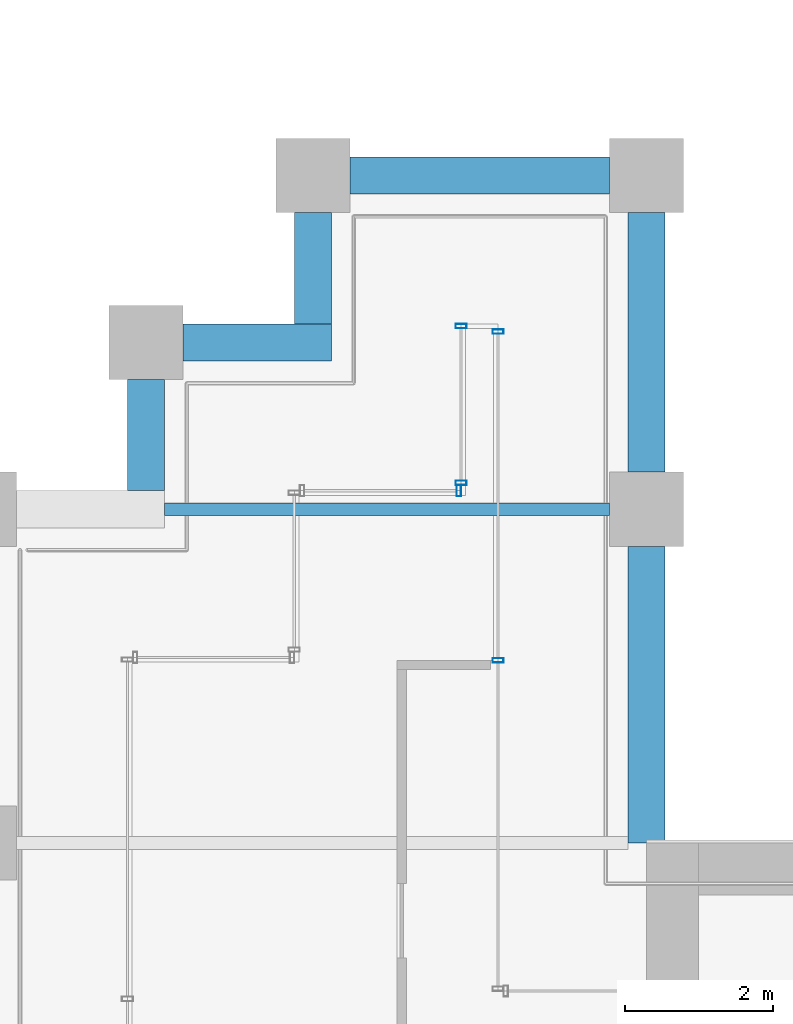
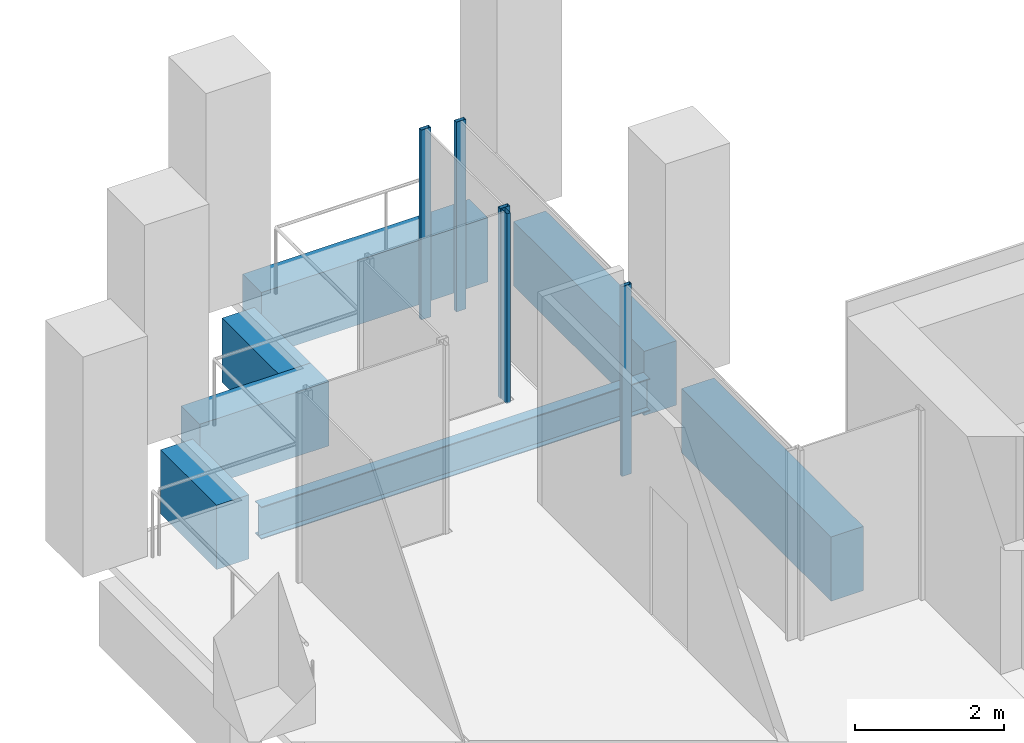
# One storey, part 35 of 46: 7 beams, 5 members, 3 elements without a shape of their own.
"""IFC4 building model written with IfcOpenShell, lengths in metres."""

from ifc_helpers import new_model, si_unit, direction, frame, origin, origin_2d, place, context, subcontext, project, spatial, rectangle, hollow_rectangle, i_section, extrude, material, material_profile, profile_set, type_object, element, aggregate, save


model = new_model("IFC4")

# Units and contexts
model_context = context("Model", 3, precision=1e-05, world=origin(), true_north=direction((0.0, 1.0)))
body_context = subcontext(model_context, "Body", "Model", "MODEL_VIEW")
ifc_project = project(units=[si_unit("LENGTHUNIT", "METRE"), si_unit("AREAUNIT", "SQUARE_METRE"), si_unit("VOLUMEUNIT", "CUBIC_METRE"), si_unit("PLANEANGLEUNIT", "RADIAN"), si_unit("MASSUNIT", "GRAM", prefix="KILO")], contexts=[model_context])

# Site, building, storey
site_placement = place(None, origin())
site = spatial("IfcSite", under=ifc_project, at=site_placement, CompositionType="ELEMENT")
building_placement = place(site_placement, origin())
building = spatial("IfcBuilding", under=site, at=building_placement, Name="Altepetl Exchange Towers", CompositionType="ELEMENT")
storey_placement = place(building_placement, frame((0.0, 0.0, 128.0)))
storey = spatial("IfcBuildingStorey", under=building, at=storey_placement, Name="L31", CompositionType="ELEMENT", Elevation=128.0)

# Beam
ifc_material_1 = material(Name="Steel S355", Category="steel")
ifc_material_profile_1 = material_profile(ifc_material_1, i_section(OverallWidth=0.166015625, OverallDepth=0.529052734375, WebThickness=0.009765625, FlangeThickness=0.013671875, at=origin_2d()), Name="W21X50")
ifc_profile_set_1 = profile_set([ifc_material_profile_1], Name="Steel S355")
beam_type_1 = type_object("IfcBeamType", Name="Floor beam W21X50", PredefinedType="BEAM", material=ifc_profile_set_1)
beam_1_placement = place(storey_placement, frame((97.0, 54.0, -0.41455078125), z_axis=(1.0, 0.0, 0.0), x_axis=(0.0, 1.0, 0.0)))
element("IfcBeam", 1, at=beam_1_placement, inside=storey, type_object=beam_type_1, Name="bm:B:L31:011", PredefinedType="BEAM", context=body_context, shape_type="SweptSolid", body=[
    extrude(i_section(OverallWidth=0.166015625, OverallDepth=0.529052734375, WebThickness=0.009765625, FlangeThickness=0.013671875, at=origin_2d()), origin(), (0.0, 0.0, 1.0), 6.0),
])

# Curtain wall, members
ifc_material_2 = material(Name="Aluminium 6063-T6 glazing", Category="aluminium")
curtain_wall_type = type_object("IfcCurtainWallType", Name="Loggia glazing system", PredefinedType="NOTDEFINED", material=ifc_material_2)
curtain_wall_1_placement = place(storey_placement, origin())
curtain_wall_1 = element("IfcCurtainWall", 2, at=curtain_wall_1_placement, inside=storey, type_object=curtain_wall_type, Name="CW1 run", PredefinedType="NOTDEFINED")
ifc_material_3 = material(Name="Aluminium 6063-T6", Category="aluminium")
ifc_material_profile_2 = material_profile(ifc_material_3, hollow_rectangle(XDim=0.06005859375, YDim=0.14990234375, WallThickness=0.0029296875, at=origin_2d()), Name="Mullion 60x150 aluminium")
ifc_profile_set_2 = profile_set([ifc_material_profile_2], Name="Aluminium 6063-T6")
member_type = type_object("IfcMemberType", Name="Mullion 60x150 aluminium", PredefinedType="MULLION", material=ifc_profile_set_2)
member_1_placement = place(storey_placement, frame((101.5, 51.96240234375, 0.0), z_axis=(0.0, 0.0, 1.0), x_axis=(0.0, 1.0, 0.0)))
member_1 = element("IfcMember", 3, at=member_1_placement, type_object=member_type, Name="MU1 mullion", PredefinedType="MULLION", context=body_context, shape_type="SweptSolid", body=[
    extrude(hollow_rectangle(XDim=0.06005859375, YDim=0.14990234375, WallThickness=0.0029296875, at=origin_2d()), origin(), (0.0, 0.0, 1.0), 3.10009765625),
])
member_2_placement = place(storey_placement, frame((101.5, 56.39501953125, 0.0), z_axis=(0.0, 0.0, 1.0), x_axis=(0.0, 1.0, 0.0)))
member_2 = element("IfcMember", 4, at=member_2_placement, type_object=member_type, Name="MU1 mullion", PredefinedType="MULLION", context=body_context, shape_type="SweptSolid", body=[
    extrude(hollow_rectangle(XDim=0.06005859375, YDim=0.14990234375, WallThickness=0.0029296875, at=origin_2d()), origin(), (0.0, 0.0, 1.0), 3.10009765625),
])
aggregate(curtain_wall_1, [member_1, member_2])

curtain_wall_2_placement = place(storey_placement, origin())
curtain_wall_2 = element("IfcCurtainWall", 5, at=curtain_wall_2_placement, inside=storey, type_object=curtain_wall_type, Name="CW1 run", PredefinedType="NOTDEFINED")
member_3_placement = place(storey_placement, frame((101.0, 56.469970703125, 0.0), z_axis=(0.0, 0.0, 1.0), x_axis=(0.0, -1.0, 0.0)))
member_3 = element("IfcMember", 6, at=member_3_placement, type_object=member_type, Name="MU1 mullion", PredefinedType="MULLION", context=body_context, shape_type="SweptSolid", body=[
    extrude(hollow_rectangle(XDim=0.06005859375, YDim=0.14990234375, WallThickness=0.0029296875, at=origin_2d()), origin(), (0.0, 0.0, 1.0), 3.10009765625),
])
member_4_placement = place(storey_placement, frame((101.0, 54.35498046875, 0.0), z_axis=(0.0, 0.0, 1.0), x_axis=(0.0, -1.0, 0.0)))
member_4 = element("IfcMember", 7, at=member_4_placement, type_object=member_type, Name="MU1 mullion", PredefinedType="MULLION", context=body_context, shape_type="SweptSolid", body=[
    extrude(hollow_rectangle(XDim=0.06005859375, YDim=0.14990234375, WallThickness=0.0029296875, at=origin_2d()), origin(), (0.0, 0.0, 1.0), 3.10009765625),
])
aggregate(curtain_wall_2, [member_3, member_4])

# Curtain wall, member
curtain_wall_3_placement = place(storey_placement, origin())
curtain_wall_3 = element("IfcCurtainWall", 8, at=curtain_wall_3_placement, inside=storey, type_object=curtain_wall_type, Name="CW1 run", PredefinedType="NOTDEFINED")
member_5_placement = place(storey_placement, frame((100.969970703125, 54.25, 0.0), z_axis=(0.0, 0.0, 1.0), x_axis=(-1.0, 0.0, 0.0)))
member_5 = element("IfcMember", 9, at=member_5_placement, type_object=member_type, Name="MU1 mullion", PredefinedType="MULLION", context=body_context, shape_type="SweptSolid", body=[
    extrude(hollow_rectangle(XDim=0.06005859375, YDim=0.14990234375, WallThickness=0.0029296875, at=origin_2d()), origin(), (0.0, 0.0, 1.0), 3.10009765625),
])
aggregate(curtain_wall_3, [member_5])

# Beams
ifc_material_4 = material(Name="Concrete C50/60 precast with cantera rosa facing", Category="concrete")
ifc_material_profile_3 = material_profile(ifc_material_4, rectangle(XDim=0.5, YDim=1.050048828125, at=origin_2d()), Name="500 x 1050")
ifc_profile_set_3 = profile_set([ifc_material_profile_3], Name="Concrete C50/60 precast with cantera rosa facing")
beam_type_2 = type_object("IfcBeamType", Name="Spandrel beam 500x1050 cantera rosa", PredefinedType="SPANDREL", material=ifc_profile_set_3)
beam_2_placement = place(storey_placement, frame((103.5, 49.5, -0.675048828125), z_axis=(0.0, 1.0, 0.0), x_axis=(-1.0, 0.0, 0.0)))
element("IfcBeam", 10, at=beam_2_placement, inside=storey, type_object=beam_type_2, Name="sp:B:L31:015", PredefinedType="SPANDREL", context=body_context, shape_type="SweptSolid", body=[
    extrude(rectangle(XDim=0.5, YDim=1.050048828125, at=origin_2d()), origin(), (0.0, 0.0, 1.0), 4.0),
])
for number, where, z_axis, x_axis, name in (
    (11, (103.5, 54.5, -0.675048828125), (0.0, 1.0, 0.0), (-1.0, 0.0, 0.0), "sp:B:L31:016"),
    (12, (103.0, 58.5, -0.675048828125), (-1.0, 0.0, 0.0), (0.0, -1.0, 0.0), "sp:B:L31:017"),
):
    element("IfcBeam", number, at=place(storey_placement, frame(where, z_axis=z_axis, x_axis=x_axis)), inside=storey, type_object=beam_type_2, Name=name, PredefinedType="SPANDREL", context=body_context, shape_type="SweptSolid", body=[
        extrude(rectangle(XDim=0.5, YDim=1.050048828125, at=origin_2d()), origin(), (0.0, 0.0, 1.0), 3.5),
    ])
beam_3_placement = place(storey_placement, frame((99.0, 58.0, -0.675048828125), z_axis=(0.0, -1.0, 0.0), x_axis=(1.0, 0.0, 0.0)))
element("IfcBeam", 13, at=beam_3_placement, inside=storey, type_object=beam_type_2, Name="sp:B:L31:018", PredefinedType="SPANDREL", context=body_context, shape_type="SweptSolid", body=[
    extrude(rectangle(XDim=0.5, YDim=1.050048828125, at=origin_2d()), origin(), (0.0, 0.0, 1.0), 1.5),
])
beam_4_placement = place(storey_placement, frame((99.25, 56.25, -0.675048828125), z_axis=(-1.0, 0.0, 0.0), x_axis=(0.0, -1.0, 0.0)))
element("IfcBeam", 14, at=beam_4_placement, inside=storey, type_object=beam_type_2, Name="sp:B:L31:019", PredefinedType="SPANDREL", context=body_context, shape_type="SweptSolid", body=[
    extrude(rectangle(XDim=0.5, YDim=1.050048828125, at=origin_2d()), origin(), (0.0, 0.0, 1.0), 2.0),
])
beam_5_placement = place(storey_placement, frame((96.75, 55.75, -0.675048828125), z_axis=(0.0, -1.0, 0.0), x_axis=(1.0, 0.0, 0.0)))
element("IfcBeam", 15, at=beam_5_placement, inside=storey, type_object=beam_type_2, Name="sp:B:L31:020", PredefinedType="SPANDREL", context=body_context, shape_type="SweptSolid", body=[
    extrude(rectangle(XDim=0.5, YDim=1.050048828125, at=origin_2d()), origin(), (0.0, 0.0, 1.0), 1.5),
])

save(model, "model.ifc")
